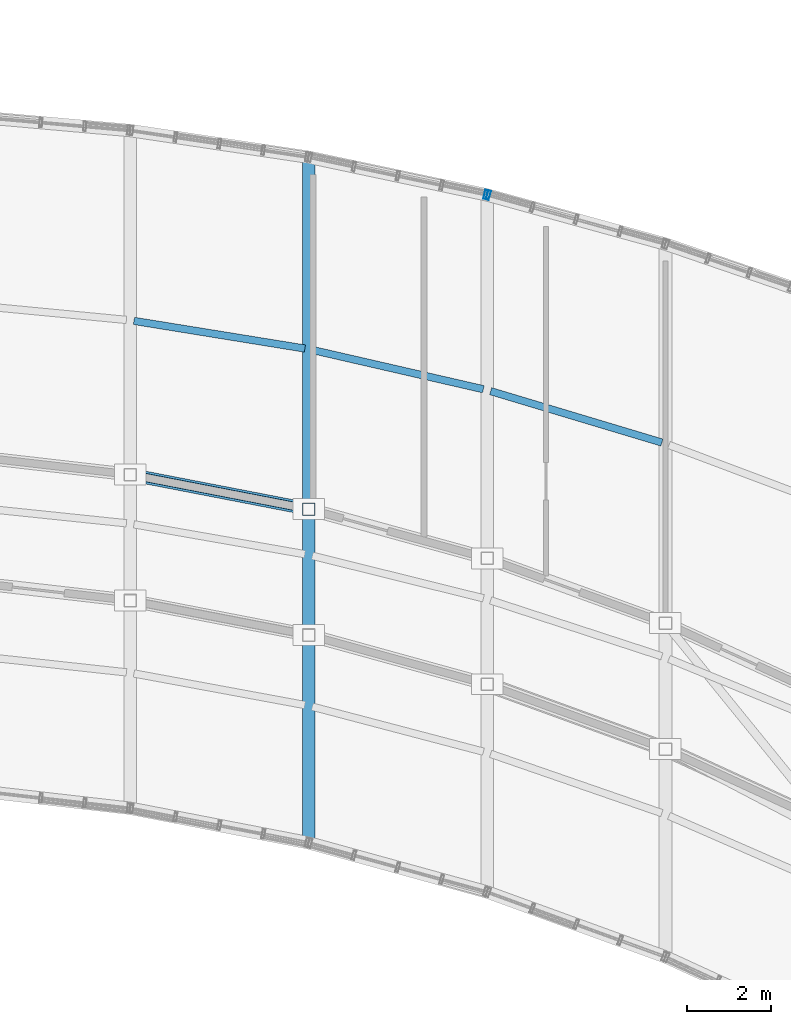
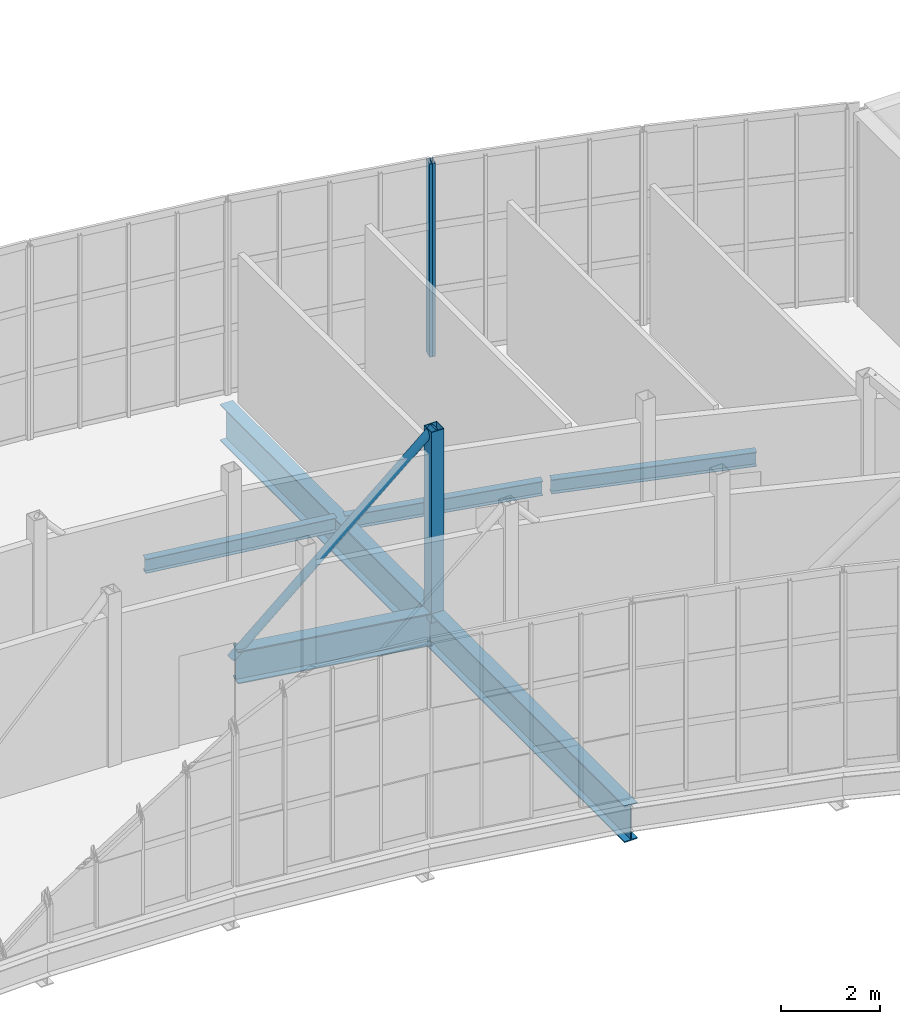
# One storey, part 28 of 66: 5 beams, 4 members, 2 elements without a shape of their own.
"""IFC4 building model written with IfcOpenShell, lengths in metres."""

from ifc_helpers import new_model, si_unit, direction, frame, origin, origin_2d, place, context, subcontext, project, spatial, hollow_rectangle, hollow_circle, i_section, extrude, material, material_profile, profile_set, type_object, element, aggregate, save


model = new_model("IFC4")

# Units and contexts
model_context = context("Model", 3, precision=1e-05, world=origin(), true_north=direction((0.0, 1.0)))
body_context = subcontext(model_context, "Body", "Model", "MODEL_VIEW")
ifc_project = project(units=[si_unit("LENGTHUNIT", "METRE"), si_unit("AREAUNIT", "SQUARE_METRE"), si_unit("VOLUMEUNIT", "CUBIC_METRE"), si_unit("PLANEANGLEUNIT", "RADIAN"), si_unit("MASSUNIT", "GRAM", prefix="KILO")], contexts=[model_context])

# Site, building, storey
site_placement = place(None, origin())
site = spatial("IfcSite", under=ifc_project, at=site_placement, CompositionType="ELEMENT")
building_placement = place(site_placement, origin())
building = spatial("IfcBuilding", under=site, at=building_placement, Name="Solvikara Media Centre", CompositionType="ELEMENT")
storey_placement = place(building_placement, frame((0.0, 0.0, 19.800048828125)))
storey = spatial("IfcBuildingStorey", under=building, at=storey_placement, Name="L04", CompositionType="ELEMENT", Elevation=19.800048828125)

# Beams
ifc_material_1 = material(Name="Steel S355JR", Category="steel")
ifc_material_profile_1 = material_profile(ifc_material_1, i_section(OverallWidth=0.300048828125, OverallDepth=0.89990234375, WebThickness=0.01611328125, FlangeThickness=0.028076171875, at=origin_2d()), Name="WF 900x300x16x28")
ifc_profile_set_1 = profile_set([ifc_material_profile_1], Name="Steel S355JR")
beam_type_1 = type_object("IfcBeamType", Name="BM-15", PredefinedType="BEAM", material=ifc_profile_set_1)
beam_1_placement = place(storey_placement, frame((114.75, 23.99609375, -0.672119140625), z_axis=(0.0, 1.0, 0.0), x_axis=(-1.0, 0.0, 0.0)))
element("IfcBeam", 1, at=beam_1_placement, inside=storey, type_object=beam_type_1, Name="BG-L04-NS-09", PredefinedType="BEAM", context=body_context, shape_type="SweptSolid", body=[
    extrude(i_section(OverallWidth=0.300048828125, OverallDepth=0.89990234375, WebThickness=0.01611328125, FlangeThickness=0.028076171875, at=origin_2d()), origin(), (0.0, 0.0, 1.0), 16.3330078125),
])
ifc_material_profile_2 = material_profile(ifc_material_1, i_section(OverallWidth=0.300048828125, OverallDepth=0.800048828125, WebThickness=0.013916015625, FlangeThickness=0.02587890625, at=origin_2d()), Name="WF 800x300x14x26")
ifc_profile_set_2 = profile_set([ifc_material_profile_2], Name="Steel S355JR")
beam_type_2 = type_object("IfcBeamType", Name="BM-16", PredefinedType="BEAM", material=ifc_profile_set_2)
beam_2_placement = place(storey_placement, frame((110.587890625, 32.7509765625, -0.6220703125), z_axis=(0.981801087979, -0.189912147171, 0.0), x_axis=(0.189912147171, 0.981801087979, 0.0)))
element("IfcBeam", 2, at=beam_2_placement, inside=storey, type_object=beam_type_2, Name="B-L04-SPNN-08", PredefinedType="BEAM", context=body_context, shape_type="SweptSolid", body=[
    extrude(i_section(OverallWidth=0.300048828125, OverallDepth=0.800048828125, WebThickness=0.013916015625, FlangeThickness=0.02587890625, at=origin_2d()), origin(), (0.0, 0.0, 1.0), 4.149658203125),
])
ifc_material_profile_3 = material_profile(ifc_material_1, i_section(OverallWidth=0.175048828125, OverallDepth=0.35009765625, WebThickness=0.007080078125, FlangeThickness=0.010986328125, at=origin_2d()), Name="WF 350x175x7x11")
ifc_profile_set_3 = profile_set([ifc_material_profile_3], Name="Steel S355JR")
beam_type_3 = type_object("IfcBeamType", Name="BM-22", PredefinedType="JOIST", material=ifc_profile_set_3)
beam_3_placement = place(storey_placement, frame((110.589111328125, 36.428955078125, -0.39697265625), z_axis=(0.987157242896, -0.159751612818, 0.0), x_axis=(0.159751612818, 0.987157242896, 0.0)))
element("IfcBeam", 3, at=beam_3_placement, inside=storey, type_object=beam_type_3, Name="BJ-L04-08-72", PredefinedType="JOIST", context=body_context, shape_type="SweptSolid", body=[
    extrude(i_section(OverallWidth=0.175048828125, OverallDepth=0.35009765625, WebThickness=0.007080078125, FlangeThickness=0.010986328125, at=origin_2d()), origin(), (0.0, 0.0, 1.0), 4.124755859375),
])
beam_4_placement = place(storey_placement, frame((114.837890625, 35.736083984375, -0.39697265625), z_axis=(0.974660207056, -0.223690591624, 0.0), x_axis=(0.223690591624, 0.974660207056, 0.0)))
element("IfcBeam", 4, at=beam_4_placement, inside=storey, type_object=beam_type_3, Name="BJ-L04-09-72", PredefinedType="JOIST", context=body_context, shape_type="SweptSolid", body=[
    extrude(i_section(OverallWidth=0.175048828125, OverallDepth=0.35009765625, WebThickness=0.007080078125, FlangeThickness=0.010986328125, at=origin_2d()), origin(), (0.0, 0.0, 1.0), 4.18017578125),
])
beam_5_placement = place(storey_placement, frame((119.0859375, 34.7548828125, -0.39697265625), z_axis=(0.95779787385, -0.287442573133, 0.0), x_axis=(0.287442573133, 0.95779787385, 0.0)))
element("IfcBeam", 5, at=beam_5_placement, inside=storey, type_object=beam_type_3, Name="BJ-L04-10-72", PredefinedType="JOIST", context=body_context, shape_type="SweptSolid", body=[
    extrude(i_section(OverallWidth=0.175048828125, OverallDepth=0.35009765625, WebThickness=0.007080078125, FlangeThickness=0.010986328125, at=origin_2d()), origin(), (0.0, 0.0, 1.0), 4.2578125),
])

# Members
ifc_material_profile_4 = material_profile(ifc_material_1, hollow_circle(Radius=0.096923828125, WallThickness=0.008056640625, at=origin_2d()), Name="CHS 193.7x8")
ifc_profile_set_4 = profile_set([ifc_material_profile_4], Name="Steel S355JR")
member_type_1 = type_object("IfcMemberType", Name="MB-06", PredefinedType="BRACE", material=ifc_profile_set_4)
member_1_placement = place(storey_placement, frame((110.5, 32.76806640625, -0.449951171875), z_axis=(0.665137067971, -0.128648696453, 0.735555704016), x_axis=(0.189897396029, 0.981803941213, 0.0)))
element("IfcMember", 6, at=member_1_placement, inside=storey, type_object=member_type_1, Name="WTR-L04-N-DA08", PredefinedType="BRACE", context=body_context, shape_type="SweptSolid", body=[
    extrude(hollow_circle(Radius=0.096923828125, WallThickness=0.008056640625, at=origin_2d()), origin(), (0.0, 0.0, 1.0), 6.3896484375),
])
ifc_material_profile_5 = material_profile(ifc_material_1, hollow_rectangle(XDim=0.300048828125, YDim=0.300048828125, WallThickness=0.012451171875, at=origin_2d()), Name="RHS 300x300x12.5")
ifc_profile_set_5 = profile_set([ifc_material_profile_5], Name="Steel S355JR")
member_type_2 = type_object("IfcMemberType", Name="MB-11", PredefinedType="CHORD", material=ifc_profile_set_5)
member_2_placement = place(storey_placement, frame((114.75, 31.946044921875, -0.449951171875), z_axis=(0.0, 0.0, 1.0), x_axis=(1.0, 0.0, 0.0)))
element("IfcMember", 7, at=member_2_placement, inside=storey, type_object=member_type_2, Name="WTR-L04-N-V09", PredefinedType="CHORD", context=body_context, shape_type="SweptSolid", body=[
    extrude(hollow_rectangle(XDim=0.300048828125, YDim=0.300048828125, WallThickness=0.012451171875, at=origin_2d()), origin(), (0.0, 0.0, 1.0), 4.699951171875),
])

# Curtain wall, member
ifc_material_2 = material(Name="Anodised aluminium EN AW-6063", Category="aluminium")
curtain_wall_type = type_object("IfcCurtainWallType", Name="CW-02", PredefinedType="NOTDEFINED", material=ifc_material_2)
curtain_wall_1_placement = place(storey_placement, origin())
curtain_wall_1 = element("IfcCurtainWall", 8, at=curtain_wall_1_placement, inside=storey, type_object=curtain_wall_type, Name="CW-L04-NARC-09", PredefinedType="NOTDEFINED")
ifc_material_profile_6 = material_profile(ifc_material_2, hollow_rectangle(XDim=0.06494140625, YDim=0.219970703125, WallThickness=0.00390625, at=origin_2d()), Name="ALU-M 65x220x4")
ifc_profile_set_6 = profile_set([ifc_material_profile_6], Name="Anodised aluminium EN AW-6063")
member_type_3 = type_object("IfcMemberType", Name="MF-01", PredefinedType="MULLION", material=ifc_profile_set_6)
member_3_placement = place(storey_placement, frame((118.966064453125, 39.43798828125, 0.02001953125), z_axis=(0.0, 0.0, 1.0), x_axis=(0.97837923005, -0.206818959981, 0.0)))
member_3 = element("IfcMember", 9, at=member_3_placement, type_object=member_type_3, Name="CW-L04-NARC-09-M04", PredefinedType="MULLION", context=body_context, shape_type="SweptSolid", body=[
    extrude(hollow_rectangle(XDim=0.06494140625, YDim=0.219970703125, WallThickness=0.00390625, at=origin_2d()), origin(), (0.0, 0.0, 1.0), 4.760009765625),
])
aggregate(curtain_wall_1, [member_3])

curtain_wall_2_placement = place(storey_placement, origin())
curtain_wall_2 = element("IfcCurtainWall", 10, at=curtain_wall_2_placement, inside=storey, type_object=curtain_wall_type, Name="CW-L04-NARC-10", PredefinedType="NOTDEFINED")
member_4_placement = place(storey_placement, frame((119.033935546875, 39.422119140625, 0.02001953125), z_axis=(0.0, 0.0, 1.0), x_axis=(0.964030487854, -0.265791682504, 0.0)))
member_4 = element("IfcMember", 11, at=member_4_placement, type_object=member_type_3, Name="CW-L04-NARC-10-M00", PredefinedType="MULLION", context=body_context, shape_type="SweptSolid", body=[
    extrude(hollow_rectangle(XDim=0.06494140625, YDim=0.219970703125, WallThickness=0.00390625, at=origin_2d()), origin(), (0.0, 0.0, 1.0), 4.760009765625),
])
aggregate(curtain_wall_2, [member_4])

save(model, "model.ifc")
